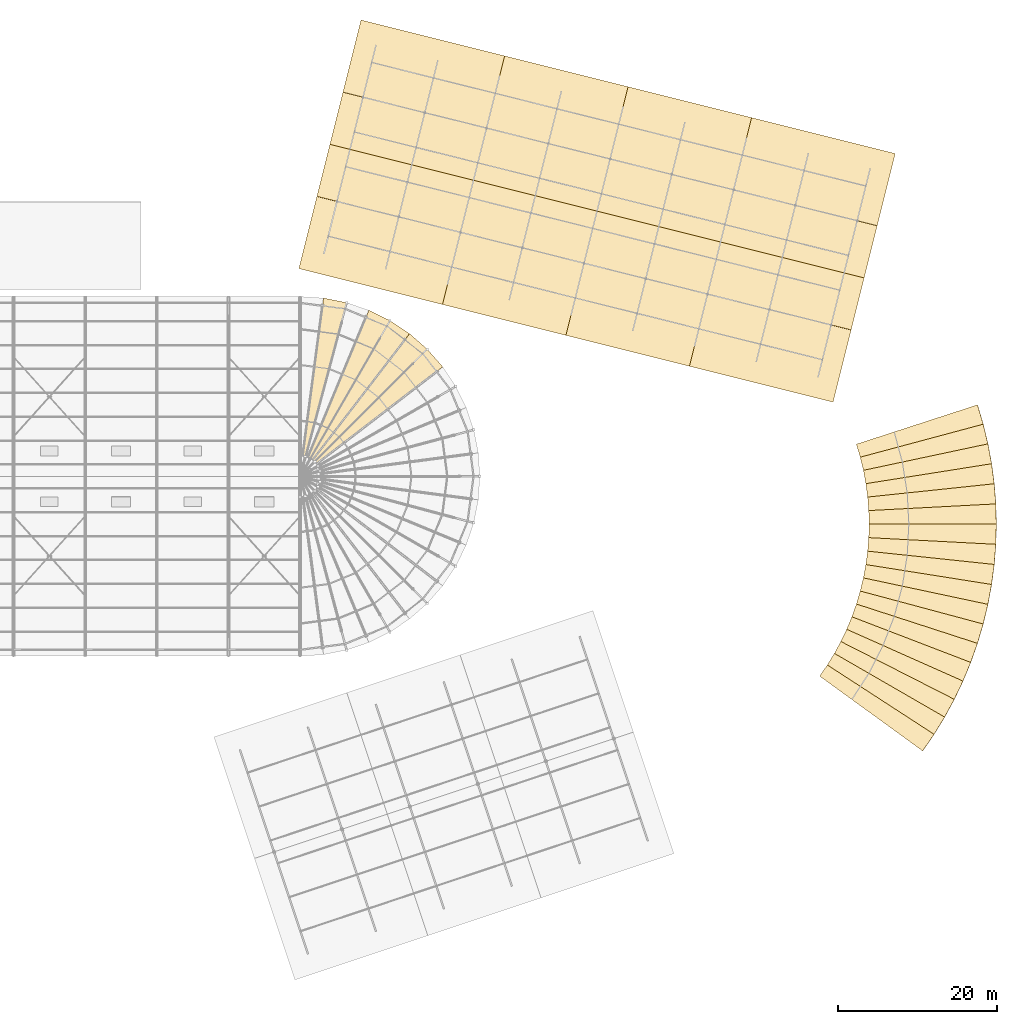
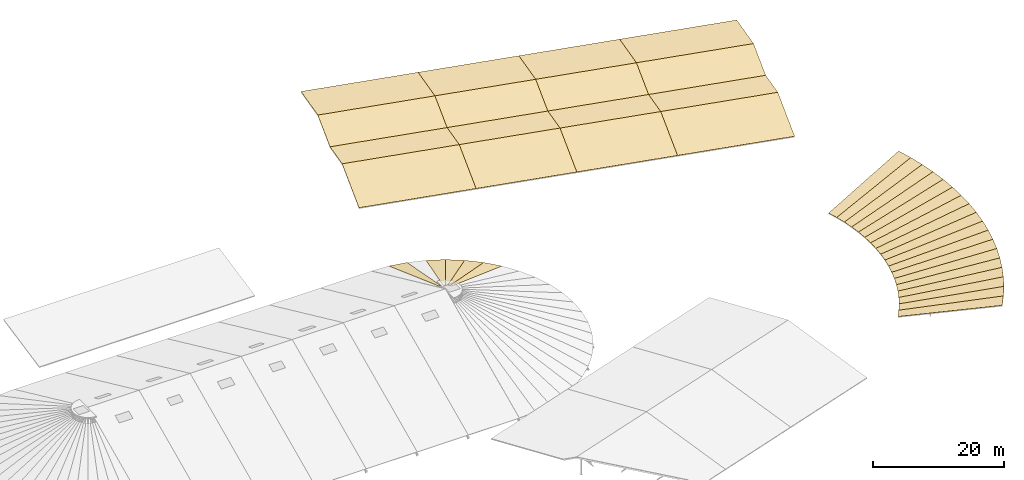
# One storey, part 107 of 107: 39 coverings.
"""IFC4 building model written with IfcOpenShell, lengths in metres."""

from ifc_helpers import new_model, si_unit, derived_unit, direction, frame, origin, place, context, subcontext, project, spatial, polyline, outline, extrude, material, layer, layer_set, type_object, element, save


model = new_model("IFC4")

# Units and contexts
model_context = context("Model", 3, precision=1e-05, world=origin(), true_north=direction((0.0, 1.0)))
body_context = subcontext(model_context, "Body", "Model", "MODEL_VIEW")
ifc_project = project(units=[si_unit("LENGTHUNIT", "METRE"), si_unit("AREAUNIT", "SQUARE_METRE"), si_unit("VOLUMEUNIT", "CUBIC_METRE"), si_unit("PLANEANGLEUNIT", "RADIAN"), si_unit("MASSUNIT", "GRAM", prefix="KILO"), si_unit("THERMODYNAMICTEMPERATUREUNIT", "KELVIN"), si_unit("TIMEUNIT", "SECOND"), derived_unit("THERMALTRANSMITTANCEUNIT", [(si_unit("MASSUNIT", "GRAM", prefix="KILO"), 1), (si_unit("THERMODYNAMICTEMPERATUREUNIT", "KELVIN"), -1), (si_unit("TIMEUNIT", "SECOND"), -3)])], contexts=[model_context])

# Site, building, storey
site_placement = place(None, origin())
site = spatial("IfcSite", under=ifc_project, at=site_placement, CompositionType="ELEMENT")
building_placement = place(site_placement, origin())
building = spatial("IfcBuilding", under=site, at=building_placement, Name="Cambertide Market Hall", CompositionType="ELEMENT")
storey_placement = place(building_placement, frame((0.0, 0.0, 18.300048828125)))
storey = spatial("IfcBuildingStorey", under=building, at=storey_placement, Name="RF", CompositionType="ELEMENT", Elevation=18.300048828125)

# Coverings
ifc_material = material(Name="PVDF-Coated Marine Aluminium Standing Seam", Category="aluminium")
ifc_layer = layer(ifc_material, 0.034912109375, Name="PVDF Marine Aluminium Standing-Seam Roofing 35")
ifc_layer_set = layer_set([ifc_layer], Name="PVDF-Coated Marine Aluminium Standing Seam")
covering_type = type_object("IfcCoveringType", Name="PVDF Marine Aluminium Standing-Seam Roofing 35", PredefinedType="ROOFING", material=ifc_layer_set)
covering_1_placement = place(storey_placement, frame((122.9296875, 85.758056640625, -10.1728515625), z_axis=(0.314754205314, 0.276026197981, 0.908151599826), x_axis=(-0.659306173802, 0.751874569863, -1.9477017e-05)))
element("IfcCovering", 1, at=covering_1_placement, inside=storey, type_object=covering_type, Name="Standing-Seam Roof Covering RSLB-CONE-E-18", PredefinedType="ROOFING", context=body_context, shape_type="SweptSolid", body=[
    extrude(outline(polyline([(0.0, 0.0), (2.9561297044671377, 2.220446049250313e-16), (1.6468173433613174, 21.975805417620908), (1.306701364755123, 21.975652061968933), (0.0, 0.0)])), origin(), (0.0, 0.0, -1.0), 0.034912109375),
])
covering_2_placement = place(storey_placement, frame((120.980712890625, 87.980712890625, -10.1728515625), z_axis=(0.276026197981, 0.314754205314, 0.908151599826), x_axis=(-0.751874569863, 0.659306173802, 1.9477017e-05)))
element("IfcCovering", 2, at=covering_2_placement, inside=storey, type_object=covering_type, Name="Standing-Seam Roof Covering RSLB-CONE-E-19", PredefinedType="ROOFING", context=body_context, shape_type="SweptSolid", body=[
    extrude(outline(polyline([(0.0, 0.0), (2.9561297044671377, -2.220446049250313e-16), (1.6494283397120146, 21.975652061968933), (1.3093123611058186, 21.975805417620908), (0.0, 0.0)])), origin(), (0.0, 0.0, -1.0), 0.034912109375),
])
covering_3_placement = place(storey_placement, frame((118.758056640625, 89.9296875, -10.1728515625), z_axis=(0.23260796997, 0.348074789506, 0.908150578493), x_axis=(-0.831438994246, 0.555616053433, 3.739204e-06)))
element("IfcCovering", 3, at=covering_3_placement, inside=storey, type_object=covering_type, Name="Standing-Seam Roof Covering RSLB-CONE-E-20", PredefinedType="ROOFING", context=body_context, shape_type="SweptSolid", body=[
    extrude(outline(polyline([(0.0, 0.0), (2.9563263187428053, 0.0), (1.6471713377690491, 21.97559776528562), (1.3071192917010481, 21.97562720757946), (0.0, 0.0)])), origin(), (0.0, 0.0, -1.0), 0.034912109375),
])
covering_4_placement = place(storey_placement, frame((116.300048828125, 91.572265625, -10.1728515625), z_axis=(0.185136315846, 0.375481625338, 0.90815092005), x_axis=(-0.896892956019, 0.442247696838, -9.278662e-06)))
element("IfcCovering", 4, at=covering_4_placement, inside=storey, type_object=covering_type, Name="Standing-Seam Roof Covering RSLB-CONE-E-21", PredefinedType="ROOFING", context=body_context, shape_type="SweptSolid", body=[
    extrude(outline(polyline([(0.0, 0.0), (2.9561752731755653, 0.0), (1.6490878307739543, 21.97568792501984), (1.3088679146911453, 21.97561486482148), (0.0, 0.0)])), origin(), (0.0, 0.0, -1.0), 0.034912109375),
])
covering_5_placement = place(storey_placement, frame((110.849365234375, 93.829833984375, -10.1728515625), z_axis=(0.081673211624, 0.410598583265, 0.908151028147), x_axis=(-0.980775932351, 0.195137310723, -2.2004101e-05)))
element("IfcCovering", 5, at=covering_5_placement, inside=storey, type_object=covering_type, Name="Standing-Seam Roof Covering RSLB-CONE-E-23", PredefinedType="ROOFING", context=body_context, shape_type="SweptSolid", body=[
    extrude(outline(polyline([(0.0, 0.0), (2.956251083457717, 0.0), (1.6470605285820976, 21.975750279612583), (1.3070648902037176, 21.975577026993157), (0.0, 0.0)])), origin(), (0.0, 0.0, -1.0), 0.034912109375),
])
covering_6_placement = place(storey_placement, frame((104.846923828125, 98.108154296875, -0.47314453125), z_axis=(-0.048353574491, -0.193422148844, 0.979923366478), x_axis=(0.970144816428, -0.242526359718, 0.0)))
element("IfcCovering", 6, at=covering_6_placement, inside=storey, type_object=covering_type, Name="Standing-Seam Roof Covering RSLB-V4-F1-1", PredefinedType="ROOFING", context=body_context, shape_type="SweptSolid", body=[
    extrude(outline(polyline([(0.0, 0.0), (18.59998366101378, 0.0), (18.600191383383294, 9.54155942923407), (0.00020772236951403883, 9.54155942923407), (0.0, 0.0)])), origin(), (0.0, 0.0, -1.0), 0.034912109375),
])
covering_7_placement = place(storey_placement, frame((107.11474609375, 107.178955078125, 1.42919921875), z_axis=(0.04835265194, 0.193413224601, 0.97992517347), x_axis=(0.970144755052, -0.242526605229, -1.243875e-06)))
element("IfcCovering", 7, at=covering_7_placement, inside=storey, type_object=covering_type, Name="Standing-Seam Roof Covering RSLB-V4-F2-1", PredefinedType="ROOFING", context=body_context, shape_type="SweptSolid", body=[
    extrude(outline(polyline([(0.0, 0.0), (18.599983660998795, -8.881784197001252e-16), (18.60016655131236, 6.888187697210948), (0.00012367971658489382, 6.888419794214739), (0.0, 0.0)])), origin(), (0.0, 0.0, -1.0), 0.034912109375),
])
covering_8_placement = place(storey_placement, frame((108.751953125, 113.7275390625, 0.055908203125), z_axis=(-0.04835305924, -0.193414853823, 0.979924831802), x_axis=(0.970141789412, -0.242538467947, -1.243881e-06)))
element("IfcCovering", 8, at=covering_8_placement, inside=storey, type_object=covering_type, Name="Standing-Seam Roof Covering RSLB-V4-F3-1", PredefinedType="ROOFING", context=body_context, shape_type="SweptSolid", body=[
    extrude(outline(polyline([(0.0, 0.0), (18.600042873043865, 8.881784197001252e-16), (18.599843745951006, 6.888361770340129), (-0.00013991359970219136, 6.8881296741561275), (0.0, 0.0)])), origin(), (0.0, 0.0, -1.0), 0.034912109375),
])
covering_9_placement = place(storey_placement, frame((110.388916015625, 120.27587890625, 1.42919921875), z_axis=(0.048354217896, 0.193419488509, 0.979923859836), x_axis=(0.970144755048, -0.242526605245, -1.243913e-06)))
element("IfcCovering", 9, at=covering_9_placement, inside=storey, type_object=covering_type, Name="Standing-Seam Roof Covering RSLB-V4-F4-1", PredefinedType="ROOFING", context=body_context, shape_type="SweptSolid", body=[
    extrude(outline(polyline([(0.0, 0.0), (18.599983660998795, 0.0), (18.600191383398283, 9.541559429204858), (0.00014851180250196076, 9.541791525897512), (0.0, 0.0)])), origin(), (0.0, 0.0, -1.0), 0.034912109375),
])
covering_10_placement = place(storey_placement, frame((122.8916015625, 93.59716796875, -0.47314453125), z_axis=(-0.048355926688, -0.193422185647, 0.979923243144), x_axis=(0.970142482306, -0.242535696394, 3.61515e-07)))
element("IfcCovering", 10, at=covering_10_placement, inside=storey, type_object=covering_type, Name="Standing-Seam Roof Covering RSLB-V4-F1-2", PredefinedType="ROOFING", context=body_context, shape_type="SweptSolid", body=[
    extrude(outline(polyline([(0.0, 0.0), (16.000186503708072, 0.0), (16.000068078112086, 9.541501406760297), (0.00011842559598476358, 9.541559430758408), (0.0, 0.0)])), origin(), (0.0, 0.0, -1.0), 0.034912109375),
])
covering_11_placement = place(storey_placement, frame((125.159423828125, 102.66796875, 1.42919921875), z_axis=(0.048354798087, 0.193416150211, 0.979924490121), x_axis=(0.97014160256, -0.242539215349, 0.0)))
element("IfcCovering", 11, at=covering_11_placement, inside=storey, type_object=covering_type, Name="Standing-Seam Roof Covering RSLB-V4-F2-2", PredefinedType="ROOFING", context=body_context, shape_type="SweptSolid", body=[
    extrude(outline(polyline([(0.0, 0.0), (15.999949652622403, 0.0), (16.000043098098296, 6.888187699045556), (9.34454758925174e-05, 6.888187699045556), (0.0, 0.0)])), origin(), (0.0, 0.0, -1.0), 0.034912109375),
])
covering_12_placement = place(storey_placement, frame((126.796630859375, 109.21630859375, 0.055908203125), z_axis=(-0.048353576145, -0.193411262519, 0.979925515131), x_axis=(0.97014160256, -0.242539215349, 0.0)))
element("IfcCovering", 12, at=covering_12_placement, inside=storey, type_object=covering_type, Name="Standing-Seam Roof Covering RSLB-V4-F3-2", PredefinedType="ROOFING", context=body_context, shape_type="SweptSolid", body=[
    extrude(outline(polyline([(0.0, 0.0), (15.999949652622403, -4.440892098500626e-16), (15.999747033445484, 6.88836177027876), (-0.00020261917691731976, 6.888361770278759), (0.0, 0.0)])), origin(), (0.0, 0.0, -1.0), 0.034912109375),
])
covering_13_placement = place(storey_placement, frame((128.43359375, 115.764892578125, 1.42919921875), z_axis=(0.048356137566, 0.193421508042, 0.979923366487), x_axis=(0.97014160256, -0.242539215349, 0.0)))
element("IfcCovering", 13, at=covering_13_placement, inside=storey, type_object=covering_type, Name="Standing-Seam Roof Covering RSLB-V4-F4-2", PredefinedType="ROOFING", context=body_context, shape_type="SweptSolid", body=[
    extrude(outline(polyline([(0.0, 0.0), (15.999949652622403, 0.0), (16.000033475643175, 9.541559431126963), (8.382302077246479e-05, 9.541559431126963), (0.0, 0.0)])), origin(), (0.0, 0.0, -1.0), 0.034912109375),
])
covering_14_placement = place(storey_placement, frame((138.4140625, 89.716552734375, -0.47314453125), z_axis=(-0.048356431635, -0.193422684299, 0.9799231198), x_axis=(0.97014160256, -0.242539215349, 0.0)))
element("IfcCovering", 14, at=covering_14_placement, inside=storey, type_object=covering_type, Name="Standing-Seam Roof Covering RSLB-V4-F1-3", PredefinedType="ROOFING", context=body_context, shape_type="SweptSolid", body=[
    extrude(outline(polyline([(0.0, 0.0), (15.999949652622403, 0.0), (15.999796624665986, 9.541501406269909), (-0.00015302795641503053, 9.541501406269909), (0.0, 0.0)])), origin(), (0.0, 0.0, -1.0), 0.034912109375),
])
covering_15_placement = place(storey_placement, frame((140.681640625, 98.787353515625, 1.42919921875), z_axis=(0.048352551881, 0.193413249617, 0.979925173469), x_axis=(0.970141673912, -0.242538929943, 1.446008e-06)))
element("IfcCovering", 15, at=covering_15_placement, inside=storey, type_object=covering_type, Name="Standing-Seam Roof Covering RSLB-V4-F2-3", PredefinedType="ROOFING", context=body_context, shape_type="SweptSolid", body=[
    extrude(outline(polyline([(0.0, 0.0), (15.999949652604982, -4.440892098500626e-16), (15.999983884440093, 6.88841979524), (9.34454410532592e-05, 6.888187699005093), (0.0, 0.0)])), origin(), (0.0, 0.0, -1.0), 0.034912109375),
])
covering_16_placement = place(storey_placement, frame((142.31884765625, 105.335693359375, 0.055908203125), z_axis=(-0.048352397642, -0.193414153694, 0.979925002637), x_axis=(0.970145139318, -0.242525068097, 1.084523e-06)))
element("IfcCovering", 16, at=covering_16_placement, inside=storey, type_object=covering_type, Name="Standing-Seam Roof Covering RSLB-V4-F3-3", PredefinedType="ROOFING", context=body_context, shape_type="SweptSolid", body=[
    extrude(outline(polyline([(0.0, 0.0), (15.999890440690066, 4.440892098500626e-16), (16.000083806951963, 6.888187696942532), (-0.00010269580046045728, 6.888361772470464), (0.0, 0.0)])), origin(), (0.0, 0.0, -1.0), 0.034912109375),
])
covering_17_placement = place(storey_placement, frame((143.955810546875, 111.88427734375, 1.42919921875), z_axis=(0.048355926688, 0.193422185647, 0.979923243144), x_axis=(0.970142482306, -0.242535696394, -3.61515e-07)))
element("IfcCovering", 17, at=covering_17_placement, inside=storey, type_object=covering_type, Name="Standing-Seam Roof Covering RSLB-V4-F4-3", PredefinedType="ROOFING", context=body_context, shape_type="SweptSolid", body=[
    extrude(outline(polyline([(0.0, 0.0), (16.000186503708072, 0.0), (16.000068078112086, 9.541501406760297), (0.00011842559598476358, 9.541559430758408), (0.0, 0.0)])), origin(), (0.0, 0.0, -1.0), 0.034912109375),
])
covering_18_placement = place(storey_placement, frame((153.936279296875, 85.8359375, -0.47314453125), z_axis=(-0.04835633157, -0.193422709314, 0.9799231198), x_axis=(0.970141728034, -0.242538713461, 0.0)))
element("IfcCovering", 18, at=covering_18_placement, inside=storey, type_object=covering_type, Name="Standing-Seam Roof Covering RSLB-V4-F1-4", PredefinedType="ROOFING", context=body_context, shape_type="SweptSolid", body=[
    extrude(outline(polyline([(0.0, 0.0), (18.60004287305885, 0.0), (18.599894682153497, 9.541501406346258), (-0.00014819090535445056, 9.54150140634626), (0.0, 0.0)])), origin(), (0.0, 0.0, -1.0), 0.034912109375),
])
covering_19_placement = place(storey_placement, frame((156.203857421875, 94.90673828125, 1.42919921875), z_axis=(0.048353068779, 0.193409658324, 0.979925856791), x_axis=(0.970141728034, -0.242538713461, 0.0)))
element("IfcCovering", 19, at=covering_19_placement, inside=storey, type_object=covering_type, Name="Standing-Seam Roof Covering RSLB-V4-F2-4", PredefinedType="ROOFING", context=body_context, shape_type="SweptSolid", body=[
    extrude(outline(polyline([(0.0, 0.0), (18.60004287305885, 0.0), (18.600080596943847, 6.888419795262225), (3.772388499778678e-05, 6.888419795262224), (0.0, 0.0)])), origin(), (0.0, 0.0, -1.0), 0.034912109375),
])
covering_20_placement = place(storey_placement, frame((157.841064453125, 101.455322265625, 0.055908203125), z_axis=(-0.048354698027, -0.193416175228, 0.979924490121), x_axis=(0.970141728034, -0.242538713461, 0.0)))
element("IfcCovering", 20, at=covering_20_placement, inside=storey, type_object=covering_type, Name="Standing-Seam Roof Covering RSLB-V4-F3-4", PredefinedType="ROOFING", context=body_context, shape_type="SweptSolid", body=[
    extrude(outline(polyline([(0.0, 0.0), (18.60004287305885, 0.0), (18.600139810496938, 6.8881876989972985), (9.693743808880662e-05, 6.8881876989972985), (0.0, 0.0)])), origin(), (0.0, 0.0, -1.0), 0.034912109375),
])
covering_21_placement = place(storey_placement, frame((159.478271484375, 108.003662109375, 1.42919921875), z_axis=(0.04835633157, 0.193422709314, 0.9799231198), x_axis=(0.970141728034, -0.242538713461, 0.0)))
element("IfcCovering", 21, at=covering_21_placement, inside=storey, type_object=covering_type, Name="Standing-Seam Roof Covering RSLB-V4-F4-4", PredefinedType="ROOFING", context=body_context, shape_type="SweptSolid", body=[
    extrude(outline(polyline([(0.0, 0.0), (18.60004287305885, 0.0), (18.599894682153497, 9.541501406346258), (-0.00014819090535445056, 9.54150140634626), (0.0, 0.0)])), origin(), (0.0, 0.0, -1.0), 0.034912109375),
])
covering_22_placement = place(storey_placement, frame((170.29296875, 46.89697265625, -12.614013671875), z_axis=(-0.164349573708, 0.11296091203, 0.979912776718), x_axis=(0.566431284923, 0.824108973049, 6.52103e-07)))
element("IfcCovering", 22, at=covering_22_placement, inside=storey, type_object=covering_type, Name="Standing-Seam Roof Covering RSLB-V5-01", PredefinedType="ROOFING", context=body_context, shape_type="SweptSolid", body=[
    extrude(outline(polyline([(0.0, 0.0), (1.701648597185077, -1.1102230246251565e-16), (2.120844330510697, -16.32242809124714), (-0.4182876781527041, -16.32244195813519), (0.0, 0.0)])), origin(), (0.0, 0.0, -1.0), 0.034912109375),
])
covering_23_placement = place(storey_placement, frame((171.2568359375, 48.29931640625, -12.614013671875), z_axis=(-0.170042121014, 0.104195290223, 0.979912760697), x_axis=(0.522471325982, 0.852656855673, -7.10368e-07)))
element("IfcCovering", 23, at=covering_23_placement, inside=storey, type_object=covering_type, Name="Standing-Seam Roof Covering RSLB-V5-02", PredefinedType="ROOFING", context=body_context, shape_type="SweptSolid", body=[
    extrude(outline(polyline([(0.0, 0.0), (1.7013684409934609, 1.1102230246251565e-16), (2.1197066390965884, -16.322436133471935), (-0.4194706513072297, -16.322421028433975), (0.0, 0.0)])), origin(), (0.0, 0.0, -1.0), 0.034912109375),
])
covering_24_placement = place(storey_placement, frame((172.145751953125, 49.75, -12.614013671875), z_axis=(-0.175255837914, 0.095165125481, 0.979912746202), x_axis=(0.477202312745, 0.878793464192, 2.041899e-06)))
element("IfcCovering", 24, at=covering_24_placement, inside=storey, type_object=covering_type, Name="Standing-Seam Roof Covering RSLB-V5-03", PredefinedType="ROOFING", context=body_context, shape_type="SweptSolid", body=[
    extrude(outline(polyline([(0.0, 0.0), (1.7016076319253277, 0.0), (2.121177927982285, -16.32240103593475), (-0.41801331734699343, -16.322444456813816), (0.0, 0.0)])), origin(), (0.0, 0.0, -1.0), 0.034912109375),
])
covering_25_placement = place(storey_placement, frame((172.957763671875, 51.245361328125, -12.614013671875), z_axis=(-0.180002318514, 0.085850439212, 0.979912683567), x_axis=(0.430490311618, 0.902595198083, 1.081732e-06)))
element("IfcCovering", 25, at=covering_25_placement, inside=storey, type_object=covering_type, Name="Standing-Seam Roof Covering RSLB-V5-04", PredefinedType="ROOFING", context=body_context, shape_type="SweptSolid", body=[
    extrude(outline(polyline([(0.0, 0.0), (1.7013659010727293, 0.0), (2.119796511229654, -16.32238606613641), (-0.41925774890600737, -16.322409067022196), (0.0, 0.0)])), origin(), (0.0, 0.0, -1.0), 0.034912109375),
])
covering_26_placement = place(storey_placement, frame((173.690185546875, 52.781005859375, -12.614013671875), z_axis=(-0.184248075072, 0.07631461584, 0.979912611533), x_axis=(0.382668602888, 0.923885674942, -2.7442e-08)))
element("IfcCovering", 26, at=covering_26_placement, inside=storey, type_object=covering_type, Name="Standing-Seam Roof Covering RSLB-V5-05", PredefinedType="ROOFING", context=body_context, shape_type="SweptSolid", body=[
    extrude(outline(polyline([(0.0, 0.0), (1.7015324767715603, 0.0), (2.1200954169344963, -16.322368886224005), (-0.4191229644169719, -16.322368302676615), (0.0, 0.0)])), origin(), (0.0, 0.0, -1.0), 0.034912109375),
])
covering_27_placement = place(storey_placement, frame((174.34130859375, 54.35302734375, -12.614013671875), z_axis=(-0.187986478848, 0.066577109493, 0.979912532965), x_axis=(0.333862189489, 0.942621895782, 4.629246e-06)))
element("IfcCovering", 27, at=covering_27_placement, inside=storey, type_object=covering_type, Name="Standing-Seam Roof Covering RSLB-V5-06", PredefinedType="ROOFING", context=body_context, shape_type="SweptSolid", body=[
    extrude(outline(polyline([(0.0, 0.0), (1.7016413989820527, 0.0), (2.1213302746799423, -16.32228776018777), (-0.4178871540689084, -16.322386201755272), (0.0, 0.0)])), origin(), (0.0, 0.0, -1.0), 0.034912109375),
])
covering_28_placement = place(storey_placement, frame((174.909423828125, 55.95703125, -12.614013671875), z_axis=(-0.191215430845, 0.056638988853, 0.979912589953), x_axis=(0.283977229515, 0.958831024255, -6.522421e-06)))
element("IfcCovering", 28, at=covering_28_placement, inside=storey, type_object=covering_type, Name="Standing-Seam Roof Covering RSLB-V5-07", PredefinedType="ROOFING", context=body_context, shape_type="SweptSolid", body=[
    extrude(outline(polyline([(0.0, 0.0), (1.7013915628134801, 5.551115123125783e-17), (2.119563379981395, -16.322429246435615), (-0.4195801038713964, -16.322290556632414), (0.0, 0.0)])), origin(), (0.0, 0.0, -1.0), 0.034912109375),
])
covering_29_placement = place(storey_placement, frame((175.392578125, 57.58837890625, -12.614013671875), z_axis=(-0.193916335791, 0.046555994176, 0.979912748218), x_axis=(0.233443723676, 0.972370314168, -1.138035e-06)))
element("IfcCovering", 29, at=covering_29_placement, inside=storey, type_object=covering_type, Name="Standing-Seam Roof Covering RSLB-V5-08", PredefinedType="ROOFING", context=body_context, shape_type="SweptSolid", body=[
    extrude(outline(polyline([(0.0, 0.0), (1.7015543353361176, -5.551115123125783e-17), (2.120290514105921, -16.322435663950877), (-0.41886533263854686, -16.322411464204922), (0.0, 0.0)])), origin(), (0.0, 0.0, -1.0), 0.034912109375),
])
covering_30_placement = place(storey_placement, frame((175.789794921875, 59.242919921875, -12.614013671875), z_axis=(-0.196088103936, 0.036340253481, 0.979912670329), x_axis=(0.182242613185, 0.983253593903, 4.004068e-06)))
element("IfcCovering", 30, at=covering_30_placement, inside=storey, type_object=covering_type, Name="Standing-Seam Roof Covering RSLB-V5-09", PredefinedType="ROOFING", context=body_context, shape_type="SweptSolid", body=[
    extrude(outline(polyline([(0.0, 0.0), (1.7013431992600994, 0.0), (2.1203177232788084, -16.322349671999127), (-0.4187694357151458, -16.322434810741093), (0.0, 0.0)])), origin(), (0.0, 0.0, -1.0), 0.034912109375),
])
covering_31_placement = place(storey_placement, frame((176.099853515625, 60.915771484375, -12.614013671875), z_axis=(-0.19772023414, 0.026038177391, 0.979912609537), x_axis=(0.130565811297, 0.991439644618, 2.25981e-07)))
element("IfcCovering", 31, at=covering_31_placement, inside=storey, type_object=covering_type, Name="Standing-Seam Roof Covering RSLB-V5-10", PredefinedType="ROOFING", context=body_context, shape_type="SweptSolid", body=[
    extrude(outline(polyline([(0.0, 0.0), (1.7015778399879846, 5.551115123125783e-17), (2.1211406647645292, -16.322365388255548), (-0.41817427347823055, -16.322370193811796), (0.0, 0.0)])), origin(), (0.0, 0.0, -1.0), 0.034912109375),
])
covering_32_placement = place(storey_placement, frame((176.322021484375, 62.602783203125, -12.614013671875), z_axis=(-0.198812429445, 0.015649188111, 0.979912608761), x_axis=(0.078484274727, 0.996915351779, 2.789494e-06)))
element("IfcCovering", 32, at=covering_32_placement, inside=storey, type_object=covering_type, Name="Standing-Seam Roof Covering RSLB-V5-11", PredefinedType="ROOFING", context=body_context, shape_type="SweptSolid", body=[
    extrude(outline(polyline([(0.0, 0.0), (1.7015377837980168, 0.0), (2.120751499495824, -16.322337817373125), (-0.418326023800727, -16.322397133063664), (0.0, 0.0)])), origin(), (0.0, 0.0, -1.0), 0.034912109375),
])
covering_33_placement = place(storey_placement, frame((176.45556640625, 64.299072265625, -12.614013671875), z_axis=(-0.19935923242, 0.005212456319, 0.979912611791), x_axis=(0.026115152816, 0.999658941226, -4.471567e-06)))
element("IfcCovering", 33, at=covering_33_placement, inside=storey, type_object=covering_type, Name="Standing-Seam Roof Covering RSLB-V5-12", PredefinedType="ROOFING", context=body_context, shape_type="SweptSolid", body=[
    extrude(outline(polyline([(0.0, 0.0), (1.7015080081384646, 6.938893903907228e-18), (2.1193358976692855, -16.322416222349887), (-0.4198626700783489, -16.322321137084515), (0.0, 0.0)])), origin(), (0.0, 0.0, -1.0), 0.034912109375),
])
covering_34_placement = place(storey_placement, frame((176.5, 66.0, -12.614013671875), z_axis=(-0.19935923242, -0.005212456319, 0.979912611791), x_axis=(-0.026115152816, 0.999658941226, 4.471567e-06)))
element("IfcCovering", 34, at=covering_34_placement, inside=storey, type_object=covering_type, Name="Standing-Seam Roof Covering RSLB-V5-13", PredefinedType="ROOFING", context=body_context, shape_type="SweptSolid", body=[
    extrude(outline(polyline([(0.0, 0.0), (1.7015080081384646, -6.938893903907228e-18), (2.1213706782168136, -16.322321137084515), (-0.41782788953082095, -16.322416222349887), (0.0, 0.0)])), origin(), (0.0, 0.0, -1.0), 0.034912109375),
])
covering_35_placement = place(storey_placement, frame((176.45556640625, 67.700927734375, -12.614013671875), z_axis=(-0.198812429445, -0.015649188111, 0.979912608761), x_axis=(-0.078484274727, 0.996915351779, -2.789494e-06)))
element("IfcCovering", 35, at=covering_35_placement, inside=storey, type_object=covering_type, Name="Standing-Seam Roof Covering RSLB-V5-14", PredefinedType="ROOFING", context=body_context, shape_type="SweptSolid", body=[
    extrude(outline(polyline([(0.0, 0.0), (1.7015377837980168, 0.0), (2.119863807598744, -16.322397133063667), (-0.41921371569780735, -16.322337817373125), (0.0, 0.0)])), origin(), (0.0, 0.0, -1.0), 0.034912109375),
])
covering_36_placement = place(storey_placement, frame((176.322021484375, 69.397216796875, -12.614013671875), z_axis=(-0.19772023414, -0.026038177391, 0.979912609537), x_axis=(-0.130565811297, 0.991439644618, -2.25981e-07)))
element("IfcCovering", 36, at=covering_36_placement, inside=storey, type_object=covering_type, Name="Standing-Seam Roof Covering RSLB-V5-15", PredefinedType="ROOFING", context=body_context, shape_type="SweptSolid", body=[
    extrude(outline(polyline([(0.0, 0.0), (1.7015778399879846, -5.551115123125783e-17), (2.1197521134662156, -16.322370193811796), (-0.41956282477654416, -16.32236538825555), (0.0, 0.0)])), origin(), (0.0, 0.0, -1.0), 0.034912109375),
])
covering_37_placement = place(storey_placement, frame((176.099853515625, 71.084228515625, -12.614013671875), z_axis=(-0.196088103936, -0.036340253481, 0.979912670329), x_axis=(-0.182242613185, 0.983253593903, -4.004068e-06)))
element("IfcCovering", 37, at=covering_37_placement, inside=storey, type_object=covering_type, Name="Standing-Seam Roof Covering RSLB-V5-16", PredefinedType="ROOFING", context=body_context, shape_type="SweptSolid", body=[
    extrude(outline(polyline([(0.0, 0.0), (1.7013431992600994, 0.0), (2.1201126349752455, -16.322434810741093), (-0.41897452401870894, -16.322349671999127), (0.0, 0.0)])), origin(), (0.0, 0.0, -1.0), 0.034912109375),
])
covering_38_placement = place(storey_placement, frame((175.789794921875, 72.757080078125, -12.614013671875), z_axis=(-0.193916335791, -0.046555994176, 0.979912748218), x_axis=(-0.233443723676, 0.972370314168, 1.138035e-06)))
element("IfcCovering", 38, at=covering_38_placement, inside=storey, type_object=covering_type, Name="Standing-Seam Roof Covering RSLB-V5-17", PredefinedType="ROOFING", context=body_context, shape_type="SweptSolid", body=[
    extrude(outline(polyline([(0.0, 0.0), (1.7015543353361176, 5.551115123125783e-17), (2.120419667974664, -16.322411464204922), (-0.4187361787698033, -16.322435663950877), (0.0, 0.0)])), origin(), (0.0, 0.0, -1.0), 0.034912109375),
])
covering_39_placement = place(storey_placement, frame((175.392578125, 74.41162109375, -12.614013671875), z_axis=(-0.191215430845, -0.056638988853, 0.979912589953), x_axis=(-0.283977229515, 0.958831024255, 6.522421e-06)))
element("IfcCovering", 39, at=covering_39_placement, inside=storey, type_object=covering_type, Name="Standing-Seam Roof Covering RSLB-V5-18", PredefinedType="ROOFING", context=body_context, shape_type="SweptSolid", body=[
    extrude(outline(polyline([(0.0, 0.0), (1.7013915628134801, -5.551115123125783e-17), (2.1209716666848757, -16.322290556632414), (-0.4181718171679146, -16.322429246435615), (0.0, 0.0)])), origin(), (0.0, 0.0, -1.0), 0.034912109375),
])

save(model, "model.ifc")
